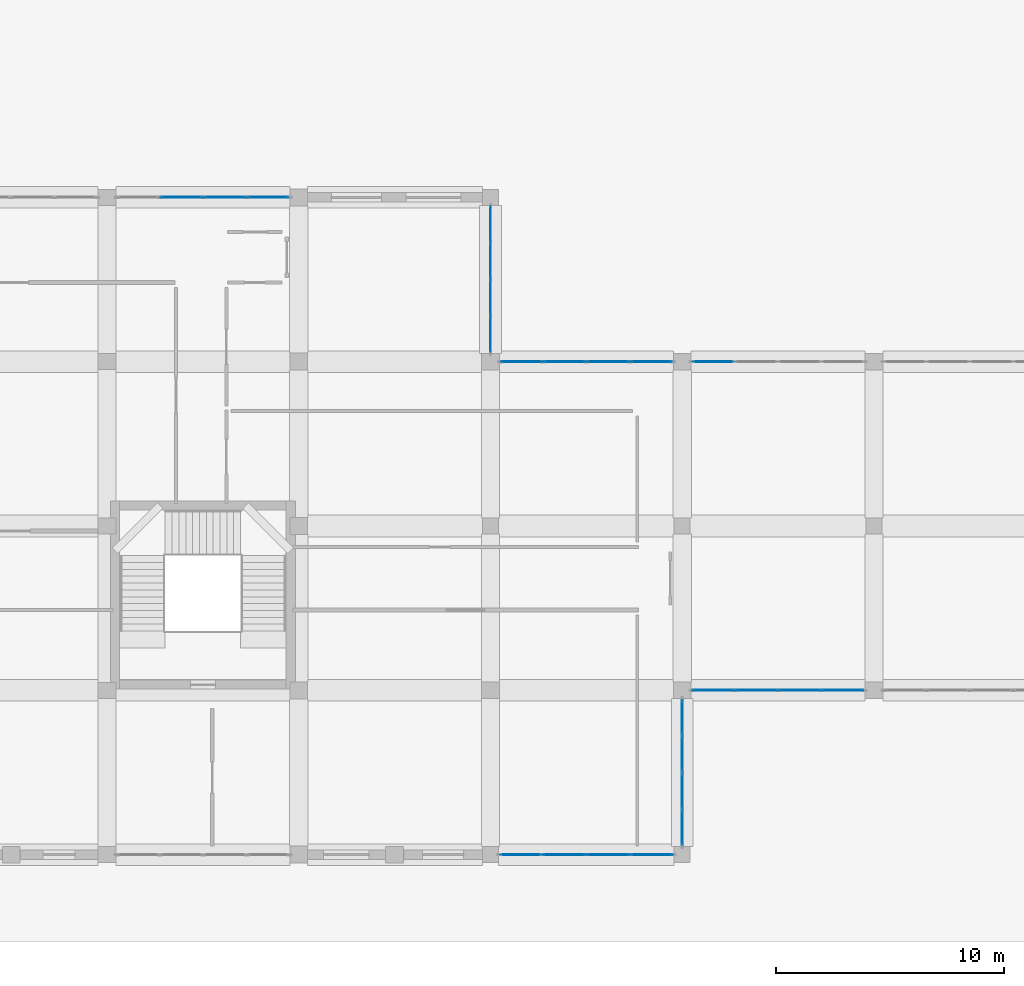
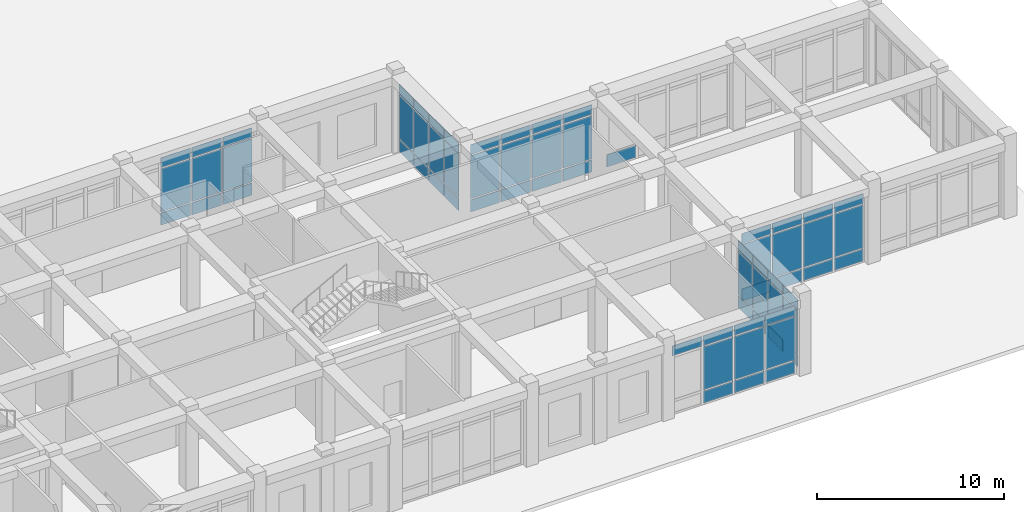
# One storey, part 57 of 84: 68 plates, 7 elements without a shape of their own.
"""IFC4 building model written with IfcOpenShell, lengths in metres."""

import ifcopenshell
import ifcopenshell.guid

model = None  # the IFC model being written
_history = None  # IfcOwnerHistory: only IFC2X3 demands one
_inside = {}  # id of a spatial element -> (the spatial element, [elements in it])
_under = {}  # id of a project, library or spatial element -> (it, [spatial elements below it])
_declared = {}  # id of a project -> (the project, [libraries it declares])
_typed = {}  # id of a type object -> (the type object, [elements of that type])
_made_of = {}  # id of a material, layer set ... -> (it, [elements and type objects made of it])


def new_model(schema):
    """Start an empty IFC model of exactly this schema.

    Asked for "IFC4X3", IfcOpenShell would pick the latest addendum, in which some entities
    have other attributes; the version numbers below select the first issue.
    IFC2X3 requires an IfcOwnerHistory on every rooted entity: one is made here for all.
    """
    global model, _history
    if schema == "IFC4X3":
        model = ifcopenshell.file(schema_version=(4, 3, 0, 0))
    else:
        model = ifcopenshell.file(schema=schema)
    _inside.clear()
    _under.clear()
    _declared.clear()
    _typed.clear()
    _made_of.clear()
    _history = None
    if model.schema == "IFC2X3":
        org = make("IfcOrganization", Name="unknown")
        user = make(
            "IfcPersonAndOrganization",
            ThePerson=make("IfcPerson", FamilyName="unknown"),
            TheOrganization=org,
        )
        app = make(
            "IfcApplication",
            ApplicationDeveloper=org,
            Version="unknown",
            ApplicationFullName="unknown",
            ApplicationIdentifier="unknown",
        )
        _history = make(
            "IfcOwnerHistory",
            OwningUser=user,
            OwningApplication=app,
            ChangeAction="ADDED",
            CreationDate=0,
        )
    return model


def make(cls, **values):
    """One entity of the class cls with the attributes given. An attribute that is None is left unset."""
    return model.create_entity(
        cls, **{name: value for name, value in values.items() if value is not None}
    )


def rooted(cls, **values):
    """An entity with a GlobalId (a new one), such as an element, a storey or a relation."""
    return make(cls, GlobalId=ifcopenshell.guid.new(), OwnerHistory=_history, **values)


def si_unit(unit_type, name, prefix=None):
    """IfcSIUnit, for example si_unit("LENGTHUNIT", "METRE", prefix="MILLI")."""
    return make("IfcSIUnit", UnitType=unit_type, Prefix=prefix, Name=name)


def derived_unit(unit_type, elements):
    """IfcDerivedUnit: a product of units, each with its exponent."""
    return make(
        "IfcDerivedUnit",
        Elements=[
            make("IfcDerivedUnitElement", Unit=unit, Exponent=power)
            for unit, power in elements
        ],
        UnitType=unit_type,
    )


def assignment(units):
    """IfcUnitAssignment: the units of a project."""
    return None if units is None else make("IfcUnitAssignment", Units=units)


def point(xyz):
    """IfcCartesianPoint."""
    return None if xyz is None else make("IfcCartesianPoint", Coordinates=xyz)


def direction(xyz):
    """IfcDirection."""
    return None if xyz is None else make("IfcDirection", DirectionRatios=xyz)


def frame(location, z_axis=None, x_axis=None):
    """IfcAxis2Placement3D, a coordinate frame: its origin and axes. An axis left out is left unset."""
    return make(
        "IfcAxis2Placement3D",
        Location=point(location),
        Axis=direction(z_axis),
        RefDirection=direction(x_axis),
    )


def frame_2d(location, x_axis=None):
    """IfcAxis2Placement2D, a coordinate frame in the plane: its origin and x axis."""
    return make(
        "IfcAxis2Placement2D", Location=point(location), RefDirection=direction(x_axis)
    )


def origin():
    """The frame at (0, 0, 0) with its axes left unset."""
    return frame((0.0, 0.0, 0.0))


def origin_2d():
    """The frame at (0, 0) in the plane with its x axis left unset."""
    return frame_2d((0.0, 0.0))


def place(relative_to, where):
    """IfcLocalPlacement: puts the frame where relative to a parent placement (None: the world)."""
    return make(
        "IfcLocalPlacement", PlacementRelTo=relative_to, RelativePlacement=where
    )


def context(
    kind, dimensions, precision=None, world=None, true_north=None, identifier=None
):
    """IfcGeometricRepresentationContext, for example the 3D "Model" context."""
    return make(
        "IfcGeometricRepresentationContext",
        ContextIdentifier=identifier,
        ContextType=kind,
        CoordinateSpaceDimension=dimensions,
        Precision=precision,
        WorldCoordinateSystem=world,
        TrueNorth=true_north,
    )


def subcontext(parent, identifier, kind, view, scale=None):
    """IfcGeometricRepresentationSubContext, for example "Body" below "Model"."""
    return make(
        "IfcGeometricRepresentationSubContext",
        ContextIdentifier=identifier,
        ContextType=kind,
        ParentContext=parent,
        TargetScale=scale,
        TargetView=view,
    )


def project(units=None, contexts=None):
    """IfcProject with its units and contexts."""
    return rooted(
        "IfcProject",
        Name="project",
        RepresentationContexts=contexts,
        UnitsInContext=assignment(units),
    )


def spatial(cls, under=None, at=None, **own):
    """A site, building, storey or space (cls), placed at a placement, below another one or the project."""
    s = rooted(cls, ObjectPlacement=at, **own)
    if under is not None:
        _under.setdefault(under.id(), (under, []))[1].append(s)
    return s


def profile(cls, at=None, kind="AREA", **sizes):
    """A parametric profile (cls). Its sizes go by their IFC names, for example OverallWidth=200.0."""
    return make(cls, ProfileType=kind, Position=at, **sizes)


def rectangle(**sizes):
    """IfcRectangleProfileDef."""
    return profile("IfcRectangleProfileDef", **sizes)


def extrude(swept, where, along, depth):
    """IfcExtrudedAreaSolid: the profile swept, set in the frame where, extruded along a direction by depth."""
    return make(
        "IfcExtrudedAreaSolid",
        SweptArea=swept,
        Position=where,
        ExtrudedDirection=direction(along),
        Depth=depth,
    )


def shape(context_of_items, identifier, shape_type, items):
    """IfcShapeRepresentation: the items that make up one representation, for example the "Body"."""
    return make(
        "IfcShapeRepresentation",
        ContextOfItems=context_of_items,
        RepresentationIdentifier=identifier,
        RepresentationType=shape_type,
        Items=items,
    )


def material(Name=None, Category=None):
    """IfcMaterial."""
    return make("IfcMaterial", Name=Name, Category=Category)


def layer(
    of_material, thickness, ventilated=None, Name=None, Category=None, Priority=None
):
    """IfcMaterialLayer: one layer of a wall or slab, of a material (None: an air gap)."""
    return make(
        "IfcMaterialLayer",
        Material=of_material,
        LayerThickness=thickness,
        IsVentilated=ventilated,
        Name=Name,
        Category=Category,
        Priority=Priority,
    )


def layer_set(layers, Name=None):
    """IfcMaterialLayerSet."""
    return make("IfcMaterialLayerSet", MaterialLayers=layers, LayerSetName=Name)


def made_of(thing, what):
    """Note that an element or type object is made of a material, layer set ...; save() writes the relation."""
    if what is not None:
        _made_of.setdefault(what.id(), (what, []))[1].append(thing)
    return thing


def type_object(cls, material=None, **own):
    """A type object (cls), such as IfcWallType, which elements share."""
    return made_of(rooted(cls, **own), material)


def element(
    cls,
    number,
    at=None,
    inside=None,
    cuts=None,
    type_object=None,
    material=None,
    context=None,
    identifier="Body",
    shape_type=None,
    held_by="IfcProductDefinitionShape",
    body=None,
    shapes=None,
    **own,
):
    """One element of the class cls, such as IfcWall. Its Tag is "e" and its number.

    at: its placement. inside: the storey or other place that contains it. cuts: it is an
    opening in that element (IfcRelVoidsElement). A single representation is given by context,
    identifier, shape_type and body (its items); several are given by shapes. held_by: the class
    of the entity that holds the representations. save() writes the other relations.
    """
    e = rooted(cls, Tag="e%d" % number, ObjectPlacement=at, **own)
    if body is not None:
        shapes = [shape(context, identifier, shape_type, body)]
    if shapes is not None:
        e.Representation = make(held_by, Representations=shapes)
    if inside is not None:
        _inside.setdefault(inside.id(), (inside, []))[1].append(e)
    if cuts is not None:
        rooted(
            "IfcRelVoidsElement", RelatingBuildingElement=cuts, RelatedOpeningElement=e
        )
    if type_object is not None:
        _typed.setdefault(type_object.id(), (type_object, []))[1].append(e)
    return made_of(e, material)


def aggregate(whole, parts):
    """IfcRelAggregates: a whole, such as a stair, and the parts it consists of."""
    return rooted("IfcRelAggregates", RelatingObject=whole, RelatedObjects=parts)


def save(model, path):
    """Write the relations noted so far, then the file.

    IfcRelAggregates (storeys below a building ...), IfcRelContainedInSpatialStructure (elements
    in a storey), IfcRelDefinesByType, IfcRelAssociatesMaterial and IfcRelDeclares: one each for
    every whole, place, type object, material and project.
    """
    for whole, parts in _under.values():
        aggregate(whole, parts)
    for where, things in _inside.values():
        rooted(
            "IfcRelContainedInSpatialStructure",
            RelatedElements=things,
            RelatingStructure=where,
        )
    for kind, things in _typed.values():
        rooted("IfcRelDefinesByType", RelatedObjects=things, RelatingType=kind)
    for what, things in _made_of.values():
        rooted("IfcRelAssociatesMaterial", RelatedObjects=things, RelatingMaterial=what)
    for by, libraries in _declared.values():
        rooted("IfcRelDeclares", RelatingContext=by, RelatedDefinitions=libraries)
    model.write(path)


model = new_model("IFC4")

# Units and contexts
model_context = context("Model", 3, precision=1e-05, world=origin(), true_north=direction((0.0, 1.0)))
body_context = subcontext(model_context, "Body", "Model", "MODEL_VIEW")
ifc_project = project(units=[si_unit("LENGTHUNIT", "METRE"), si_unit("AREAUNIT", "SQUARE_METRE"), si_unit("VOLUMEUNIT", "CUBIC_METRE"), si_unit("PLANEANGLEUNIT", "RADIAN"), si_unit("MASSUNIT", "GRAM", prefix="KILO"), derived_unit("THERMALTRANSMITTANCEUNIT", [(si_unit("POWERUNIT", "WATT"), 1), (si_unit("LENGTHUNIT", "METRE"), -2), (si_unit("THERMODYNAMICTEMPERATUREUNIT", "KELVIN"), -1)])], contexts=[model_context])

# Site, building, storey
site_placement = place(None, origin())
site = spatial("IfcSite", under=ifc_project, at=site_placement, CompositionType="ELEMENT")
building_placement = place(site_placement, origin())
building = spatial("IfcBuilding", under=site, at=building_placement, Name="Veybourne Emporium", CompositionType="ELEMENT")
storey_placement = place(building_placement, origin())
storey = spatial("IfcBuildingStorey", under=building, at=storey_placement, Name="L00", CompositionType="ELEMENT", Elevation=0.0)

# Curtain wall, plates
ifc_material_1 = material(Name="Patinated Architectural Bronze", Category="bronze")
curtain_wall_type_1 = type_object("IfcCurtainWallType", Name="CWSystem_CWS-15", PredefinedType="NOTDEFINED", material=ifc_material_1)
curtain_wall_1_placement = place(storey_placement, origin())
curtain_wall_1 = element("IfcCurtainWall", 1, at=curtain_wall_1_placement, inside=storey, type_object=curtain_wall_type_1, Name="L00 bronze glazed curtain wall CWS-15 (066)", PredefinedType="NOTDEFINED")
ifc_material_2 = material(Name="Solar Control Laminated Glass", Category="glass")
ifc_layer = layer(ifc_material_2, 0.035888671875)
ifc_layer_set = layer_set([ifc_layer], Name="Solar Control Laminated Glass")
plate_type = type_object("IfcPlateType", Name="CWPanel_CW-P2", PredefinedType="CURTAIN_PANEL", material=ifc_layer_set)
plate_1_placement = place(storey_placement, frame((129.25927734375, 28.800048828125, 0.078125), z_axis=(0.0, 0.0, 1.0), x_axis=(1.0, 0.0, 0.0)))
plate_1 = element("IfcPlate", 2, at=plate_1_placement, type_object=plate_type, Name="CWS-15 panel 2.1", PredefinedType="CURTAIN_PANEL", context=body_context, shape_type="SweptSolid", body=[
    extrude(rectangle(XDim=1.828369140625, YDim=0.035888671875, at=origin_2d()), origin(), (0.0, 0.0, 1.0), 0.782958984375),
])
plate_2_placement = place(storey_placement, frame((129.25927734375, 28.800048828125, 0.93896484375), z_axis=(0.0, 0.0, 1.0), x_axis=(1.0, 0.0, 0.0)))
plate_2 = element("IfcPlate", 3, at=plate_2_placement, type_object=plate_type, Name="CWS-15 panel 2.2", PredefinedType="CURTAIN_PANEL", context=body_context, shape_type="SweptSolid", body=[
    extrude(rectangle(XDim=1.828369140625, YDim=0.035888671875, at=origin_2d()), origin(), (0.0, 0.0, 1.0), 2.802001953125),
])
plate_3_placement = place(storey_placement, frame((129.25927734375, 28.800048828125, 3.81884765625), z_axis=(0.0, 0.0, 1.0), x_axis=(1.0, 0.0, 0.0)))
plate_3 = element("IfcPlate", 4, at=plate_3_placement, type_object=plate_type, Name="CWS-15 panel 2.3", PredefinedType="CURTAIN_PANEL", context=body_context, shape_type="SweptSolid", body=[
    extrude(rectangle(XDim=1.828369140625, YDim=0.035888671875, at=origin_2d()), origin(), (0.0, 0.0, 1.0), 0.633056640625),
])
plate_4_placement = place(storey_placement, frame((131.16552734375, 28.800048828125, 0.078125), z_axis=(0.0, 0.0, 1.0), x_axis=(1.0, 0.0, 0.0)))
plate_4 = element("IfcPlate", 5, at=plate_4_placement, type_object=plate_type, Name="CWS-15 panel 3.1", PredefinedType="CURTAIN_PANEL", context=body_context, shape_type="SweptSolid", body=[
    extrude(rectangle(XDim=1.828369140625, YDim=0.035888671875, at=origin_2d()), origin(), (0.0, 0.0, 1.0), 0.782958984375),
])
plate_5_placement = place(storey_placement, frame((131.16552734375, 28.800048828125, 0.93896484375), z_axis=(0.0, 0.0, 1.0), x_axis=(1.0, 0.0, 0.0)))
plate_5 = element("IfcPlate", 6, at=plate_5_placement, type_object=plate_type, Name="CWS-15 panel 3.2", PredefinedType="CURTAIN_PANEL", context=body_context, shape_type="SweptSolid", body=[
    extrude(rectangle(XDim=1.828369140625, YDim=0.035888671875, at=origin_2d()), origin(), (0.0, 0.0, 1.0), 2.802001953125),
])
plate_6_placement = place(storey_placement, frame((131.16552734375, 28.800048828125, 3.81884765625), z_axis=(0.0, 0.0, 1.0), x_axis=(1.0, 0.0, 0.0)))
plate_6 = element("IfcPlate", 7, at=plate_6_placement, type_object=plate_type, Name="CWS-15 panel 3.3", PredefinedType="CURTAIN_PANEL", context=body_context, shape_type="SweptSolid", body=[
    extrude(rectangle(XDim=1.828369140625, YDim=0.035888671875, at=origin_2d()), origin(), (0.0, 0.0, 1.0), 0.633056640625),
])
plate_7_placement = place(storey_placement, frame((133.052490234375, 28.800048828125, 0.078125), z_axis=(0.0, 0.0, 1.0), x_axis=(1.0, 0.0, 0.0)))
plate_7 = element("IfcPlate", 8, at=plate_7_placement, type_object=plate_type, Name="CWS-15 panel 4.1", PredefinedType="CURTAIN_PANEL", context=body_context, shape_type="SweptSolid", body=[
    extrude(rectangle(XDim=1.789306640625, YDim=0.035888671875, at=origin_2d()), origin(), (0.0, 0.0, 1.0), 0.782958984375),
])
plate_8_placement = place(storey_placement, frame((133.052490234375, 28.800048828125, 0.93896484375), z_axis=(0.0, 0.0, 1.0), x_axis=(1.0, 0.0, 0.0)))
plate_8 = element("IfcPlate", 9, at=plate_8_placement, type_object=plate_type, Name="CWS-15 panel 4.2", PredefinedType="CURTAIN_PANEL", context=body_context, shape_type="SweptSolid", body=[
    extrude(rectangle(XDim=1.789306640625, YDim=0.035888671875, at=origin_2d()), origin(), (0.0, 0.0, 1.0), 2.802001953125),
])
plate_9_placement = place(storey_placement, frame((133.052490234375, 28.800048828125, 3.81884765625), z_axis=(0.0, 0.0, 1.0), x_axis=(1.0, 0.0, 0.0)))
plate_9 = element("IfcPlate", 10, at=plate_9_placement, type_object=plate_type, Name="CWS-15 panel 4.3", PredefinedType="CURTAIN_PANEL", context=body_context, shape_type="SweptSolid", body=[
    extrude(rectangle(XDim=1.789306640625, YDim=0.035888671875, at=origin_2d()), origin(), (0.0, 0.0, 1.0), 0.633056640625),
])
aggregate(curtain_wall_1, [plate_1, plate_2, plate_3, plate_4, plate_5, plate_6, plate_7, plate_8, plate_9])

curtain_wall_type_2 = type_object("IfcCurtainWallType", Name="CWSystem_CWS-16", PredefinedType="NOTDEFINED", material=ifc_material_1)
curtain_wall_2_placement = place(storey_placement, origin())
curtain_wall_2 = element("IfcCurtainWall", 11, at=curtain_wall_2_placement, inside=storey, type_object=curtain_wall_type_2, Name="L00 bronze glazed curtain wall CWS-16 (068)", PredefinedType="NOTDEFINED")
plate_10_placement = place(storey_placement, frame((142.800048828125, 27.621337890625, 0.070068359375), z_axis=(0.0, 0.0, 1.0), x_axis=(0.0, -1.0, 0.0)))
plate_10 = element("IfcPlate", 12, at=plate_10_placement, type_object=plate_type, Name="CWS-16 panel 1.1", PredefinedType="CURTAIN_PANEL", context=body_context, shape_type="SweptSolid", body=[
    extrude(rectangle(XDim=1.517578125, YDim=0.035888671875, at=origin_2d()), origin(), (0.0, 0.0, 1.0), 0.794921875),
])
plate_11_placement = place(storey_placement, frame((142.800048828125, 27.621337890625, 0.93505859375), z_axis=(0.0, 0.0, 1.0), x_axis=(0.0, -1.0, 0.0)))
plate_11 = element("IfcPlate", 13, at=plate_11_placement, type_object=plate_type, Name="CWS-16 panel 1.2", PredefinedType="CURTAIN_PANEL", context=body_context, shape_type="SweptSolid", body=[
    extrude(rectangle(XDim=1.517578125, YDim=0.035888671875, at=origin_2d()), origin(), (0.0, 0.0, 1.0), 2.81005859375),
])
plate_12_placement = place(storey_placement, frame((142.800048828125, 27.621337890625, 3.81494140625), z_axis=(0.0, 0.0, 1.0), x_axis=(0.0, -1.0, 0.0)))
plate_12 = element("IfcPlate", 14, at=plate_12_placement, type_object=plate_type, Name="CWS-16 panel 1.3", PredefinedType="CURTAIN_PANEL", context=body_context, shape_type="SweptSolid", body=[
    extrude(rectangle(XDim=1.517578125, YDim=0.035888671875, at=origin_2d()), origin(), (0.0, 0.0, 1.0), 0.64501953125),
])
plate_13_placement = place(storey_placement, frame((142.800048828125, 26.016357421875, 0.070068359375), z_axis=(0.0, 0.0, 1.0), x_axis=(0.0, -1.0, 0.0)))
plate_13 = element("IfcPlate", 15, at=plate_13_placement, type_object=plate_type, Name="CWS-16 panel 2.1", PredefinedType="CURTAIN_PANEL", context=body_context, shape_type="SweptSolid", body=[
    extrude(rectangle(XDim=1.552490234375, YDim=0.035888671875, at=origin_2d()), origin(), (0.0, 0.0, 1.0), 0.794921875),
])
plate_14_placement = place(storey_placement, frame((142.800048828125, 26.016357421875, 0.93505859375), z_axis=(0.0, 0.0, 1.0), x_axis=(0.0, -1.0, 0.0)))
plate_14 = element("IfcPlate", 16, at=plate_14_placement, type_object=plate_type, Name="CWS-16 panel 2.2", PredefinedType="CURTAIN_PANEL", context=body_context, shape_type="SweptSolid", body=[
    extrude(rectangle(XDim=1.552490234375, YDim=0.035888671875, at=origin_2d()), origin(), (0.0, 0.0, 1.0), 2.81005859375),
])
plate_15_placement = place(storey_placement, frame((142.800048828125, 26.016357421875, 3.81494140625), z_axis=(0.0, 0.0, 1.0), x_axis=(0.0, -1.0, 0.0)))
plate_15 = element("IfcPlate", 17, at=plate_15_placement, type_object=plate_type, Name="CWS-16 panel 2.3", PredefinedType="CURTAIN_PANEL", context=body_context, shape_type="SweptSolid", body=[
    extrude(rectangle(XDim=1.552490234375, YDim=0.035888671875, at=origin_2d()), origin(), (0.0, 0.0, 1.0), 0.64501953125),
])
plate_16_placement = place(storey_placement, frame((142.800048828125, 24.393798828125, 0.070068359375), z_axis=(0.0, 0.0, 1.0), x_axis=(0.0, -1.0, 0.0)))
plate_16 = element("IfcPlate", 18, at=plate_16_placement, type_object=plate_type, Name="CWS-16 panel 3.1", PredefinedType="CURTAIN_PANEL", context=body_context, shape_type="SweptSolid", body=[
    extrude(rectangle(XDim=1.552490234375, YDim=0.035888671875, at=origin_2d()), origin(), (0.0, 0.0, 1.0), 0.794921875),
])
plate_17_placement = place(storey_placement, frame((142.800048828125, 24.393798828125, 0.93505859375), z_axis=(0.0, 0.0, 1.0), x_axis=(0.0, -1.0, 0.0)))
plate_17 = element("IfcPlate", 19, at=plate_17_placement, type_object=plate_type, Name="CWS-16 panel 3.2", PredefinedType="CURTAIN_PANEL", context=body_context, shape_type="SweptSolid", body=[
    extrude(rectangle(XDim=1.552490234375, YDim=0.035888671875, at=origin_2d()), origin(), (0.0, 0.0, 1.0), 2.81005859375),
])
plate_18_placement = place(storey_placement, frame((142.800048828125, 24.393798828125, 3.81494140625), z_axis=(0.0, 0.0, 1.0), x_axis=(0.0, -1.0, 0.0)))
plate_18 = element("IfcPlate", 20, at=plate_18_placement, type_object=plate_type, Name="CWS-16 panel 3.3", PredefinedType="CURTAIN_PANEL", context=body_context, shape_type="SweptSolid", body=[
    extrude(rectangle(XDim=1.552490234375, YDim=0.035888671875, at=origin_2d()), origin(), (0.0, 0.0, 1.0), 0.64501953125),
])
plate_19_placement = place(storey_placement, frame((142.800048828125, 22.788818359375, 0.070068359375), z_axis=(0.0, 0.0, 1.0), x_axis=(0.0, -1.0, 0.0)))
plate_19 = element("IfcPlate", 21, at=plate_19_placement, type_object=plate_type, Name="CWS-16 panel 4.1", PredefinedType="CURTAIN_PANEL", context=body_context, shape_type="SweptSolid", body=[
    extrude(rectangle(XDim=1.517578125, YDim=0.035888671875, at=origin_2d()), origin(), (0.0, 0.0, 1.0), 0.794921875),
])
plate_20_placement = place(storey_placement, frame((142.800048828125, 22.788818359375, 0.93505859375), z_axis=(0.0, 0.0, 1.0), x_axis=(0.0, -1.0, 0.0)))
plate_20 = element("IfcPlate", 22, at=plate_20_placement, type_object=plate_type, Name="CWS-16 panel 4.2", PredefinedType="CURTAIN_PANEL", context=body_context, shape_type="SweptSolid", body=[
    extrude(rectangle(XDim=1.517578125, YDim=0.035888671875, at=origin_2d()), origin(), (0.0, 0.0, 1.0), 2.81005859375),
])
plate_21_placement = place(storey_placement, frame((142.800048828125, 22.788818359375, 3.81494140625), z_axis=(0.0, 0.0, 1.0), x_axis=(0.0, -1.0, 0.0)))
plate_21 = element("IfcPlate", 23, at=plate_21_placement, type_object=plate_type, Name="CWS-16 panel 4.3", PredefinedType="CURTAIN_PANEL", context=body_context, shape_type="SweptSolid", body=[
    extrude(rectangle(XDim=1.517578125, YDim=0.035888671875, at=origin_2d()), origin(), (0.0, 0.0, 1.0), 0.64501953125),
])
aggregate(curtain_wall_2, [plate_10, plate_11, plate_12, plate_13, plate_14, plate_15, plate_16, plate_17, plate_18, plate_19, plate_20, plate_21])

curtain_wall_type_3 = type_object("IfcCurtainWallType", Name="CWSystem_CWS-17", PredefinedType="NOTDEFINED", material=ifc_material_1)
curtain_wall_3_placement = place(storey_placement, origin())
curtain_wall_3 = element("IfcCurtainWall", 24, at=curtain_wall_3_placement, inside=storey, type_object=curtain_wall_type_3, Name="L00 bronze glazed curtain wall CWS-17 (070)", PredefinedType="NOTDEFINED")
plate_22_placement = place(storey_placement, frame((149.869384765625, 0.0, 0.072021484375), z_axis=(0.0, 0.0, 1.0), x_axis=(-1.0, 0.0, 0.0)))
plate_22 = element("IfcPlate", 25, at=plate_22_placement, type_object=plate_type, Name="CWS-17 panel 1.1", PredefinedType="CURTAIN_PANEL", context=body_context, shape_type="SweptSolid", body=[
    extrude(rectangle(XDim=1.81689453125, YDim=0.035888671875, at=origin_2d()), origin(), (0.0, 0.0, 1.0), 0.7919921875),
])
plate_23_placement = place(storey_placement, frame((149.869384765625, 0.0, 0.93603515625), z_axis=(0.0, 0.0, 1.0), x_axis=(-1.0, 0.0, 0.0)))
plate_23 = element("IfcPlate", 26, at=plate_23_placement, type_object=plate_type, Name="CWS-17 panel 1.2", PredefinedType="CURTAIN_PANEL", context=body_context, shape_type="SweptSolid", body=[
    extrude(rectangle(XDim=1.81689453125, YDim=0.035888671875, at=origin_2d()), origin(), (0.0, 0.0, 1.0), 2.80810546875),
])
plate_24_placement = place(storey_placement, frame((149.869384765625, 0.0, 3.81591796875), z_axis=(0.0, 0.0, 1.0), x_axis=(-1.0, 0.0, 0.0)))
plate_24 = element("IfcPlate", 27, at=plate_24_placement, type_object=plate_type, Name="CWS-17 panel 1.3", PredefinedType="CURTAIN_PANEL", context=body_context, shape_type="SweptSolid", body=[
    extrude(rectangle(XDim=1.81689453125, YDim=0.035888671875, at=origin_2d()), origin(), (0.0, 0.0, 1.0), 0.64208984375),
])
plate_25_placement = place(storey_placement, frame((147.96240234375, 0.0, 0.072021484375), z_axis=(0.0, 0.0, 1.0), x_axis=(-1.0, 0.0, 0.0)))
plate_25 = element("IfcPlate", 28, at=plate_25_placement, type_object=plate_type, Name="CWS-17 panel 2.1", PredefinedType="CURTAIN_PANEL", context=body_context, shape_type="SweptSolid", body=[
    extrude(rectangle(XDim=1.85302734375, YDim=0.035888671875, at=origin_2d()), origin(), (0.0, 0.0, 1.0), 0.7919921875),
])
plate_26_placement = place(storey_placement, frame((147.96240234375, 0.0, 0.93603515625), z_axis=(0.0, 0.0, 1.0), x_axis=(-1.0, 0.0, 0.0)))
plate_26 = element("IfcPlate", 29, at=plate_26_placement, type_object=plate_type, Name="CWS-17 panel 2.2", PredefinedType="CURTAIN_PANEL", context=body_context, shape_type="SweptSolid", body=[
    extrude(rectangle(XDim=1.85302734375, YDim=0.035888671875, at=origin_2d()), origin(), (0.0, 0.0, 1.0), 2.80810546875),
])
plate_27_placement = place(storey_placement, frame((147.96240234375, 0.0, 3.81591796875), z_axis=(0.0, 0.0, 1.0), x_axis=(-1.0, 0.0, 0.0)))
plate_27 = element("IfcPlate", 30, at=plate_27_placement, type_object=plate_type, Name="CWS-17 panel 2.3", PredefinedType="CURTAIN_PANEL", context=body_context, shape_type="SweptSolid", body=[
    extrude(rectangle(XDim=1.85302734375, YDim=0.035888671875, at=origin_2d()), origin(), (0.0, 0.0, 1.0), 0.64208984375),
])
plate_28_placement = place(storey_placement, frame((146.03759765625, 0.0, 0.072021484375), z_axis=(0.0, 0.0, 1.0), x_axis=(-1.0, 0.0, 0.0)))
plate_28 = element("IfcPlate", 31, at=plate_28_placement, type_object=plate_type, Name="CWS-17 panel 3.1", PredefinedType="CURTAIN_PANEL", context=body_context, shape_type="SweptSolid", body=[
    extrude(rectangle(XDim=1.85302734375, YDim=0.035888671875, at=origin_2d()), origin(), (0.0, 0.0, 1.0), 0.7919921875),
])
plate_29_placement = place(storey_placement, frame((146.03759765625, 0.0, 0.93603515625), z_axis=(0.0, 0.0, 1.0), x_axis=(-1.0, 0.0, 0.0)))
plate_29 = element("IfcPlate", 32, at=plate_29_placement, type_object=plate_type, Name="CWS-17 panel 3.2", PredefinedType="CURTAIN_PANEL", context=body_context, shape_type="SweptSolid", body=[
    extrude(rectangle(XDim=1.85302734375, YDim=0.035888671875, at=origin_2d()), origin(), (0.0, 0.0, 1.0), 2.80810546875),
])
plate_30_placement = place(storey_placement, frame((146.03759765625, 0.0, 3.81591796875), z_axis=(0.0, 0.0, 1.0), x_axis=(-1.0, 0.0, 0.0)))
plate_30 = element("IfcPlate", 33, at=plate_30_placement, type_object=plate_type, Name="CWS-17 panel 3.3", PredefinedType="CURTAIN_PANEL", context=body_context, shape_type="SweptSolid", body=[
    extrude(rectangle(XDim=1.85302734375, YDim=0.035888671875, at=origin_2d()), origin(), (0.0, 0.0, 1.0), 0.64208984375),
])
plate_31_placement = place(storey_placement, frame((144.130615234375, 0.0, 3.81591796875), z_axis=(0.0, 0.0, 1.0), x_axis=(-1.0, 0.0, 0.0)))
plate_31 = element("IfcPlate", 34, at=plate_31_placement, type_object=plate_type, Name="CWS-17 panel 4.3", PredefinedType="CURTAIN_PANEL", context=body_context, shape_type="SweptSolid", body=[
    extrude(rectangle(XDim=1.81689453125, YDim=0.035888671875, at=origin_2d()), origin(), (0.0, 0.0, 1.0), 0.64208984375),
])
aggregate(curtain_wall_3, [plate_22, plate_23, plate_24, plate_25, plate_26, plate_27, plate_28, plate_29, plate_30, plate_31])

curtain_wall_type_4 = type_object("IfcCurtainWallType", Name="CWSystem_CWS-18", PredefinedType="NOTDEFINED", material=ifc_material_1)
curtain_wall_4_placement = place(storey_placement, origin())
curtain_wall_4 = element("IfcCurtainWall", 35, at=curtain_wall_4_placement, inside=storey, type_object=curtain_wall_type_4, Name="L00 bronze glazed curtain wall CWS-18 (071)", PredefinedType="NOTDEFINED")
plate_32_placement = place(storey_placement, frame((151.199951171875, 6.010009765625, 0.074951171875), z_axis=(0.0, 0.0, 1.0), x_axis=(0.0, -1.0, 0.0)))
plate_32 = element("IfcPlate", 36, at=plate_32_placement, type_object=plate_type, Name="CWS-18 panel 1.1", PredefinedType="CURTAIN_PANEL", context=body_context, shape_type="SweptSolid", body=[
    extrude(rectangle(XDim=1.510009765625, YDim=0.035888671875, at=origin_2d()), origin(), (0.0, 0.0, 1.0), 0.78759765625),
])
plate_33_placement = place(storey_placement, frame((151.199951171875, 6.010009765625, 0.9375), z_axis=(0.0, 0.0, 1.0), x_axis=(0.0, -1.0, 0.0)))
plate_33 = element("IfcPlate", 37, at=plate_33_placement, type_object=plate_type, Name="CWS-18 panel 1.2", PredefinedType="CURTAIN_PANEL", context=body_context, shape_type="SweptSolid", body=[
    extrude(rectangle(XDim=1.510009765625, YDim=0.035888671875, at=origin_2d()), origin(), (0.0, 0.0, 1.0), 2.804931640625),
])
plate_34_placement = place(storey_placement, frame((151.199951171875, 6.010009765625, 3.8173828125), z_axis=(0.0, 0.0, 1.0), x_axis=(0.0, -1.0, 0.0)))
plate_34 = element("IfcPlate", 38, at=plate_34_placement, type_object=plate_type, Name="CWS-18 panel 1.3", PredefinedType="CURTAIN_PANEL", context=body_context, shape_type="SweptSolid", body=[
    extrude(rectangle(XDim=1.510009765625, YDim=0.035888671875, at=origin_2d()), origin(), (0.0, 0.0, 1.0), 0.637451171875),
])
plate_35_placement = place(storey_placement, frame((151.199951171875, 4.40625, 0.074951171875), z_axis=(0.0, 0.0, 1.0), x_axis=(0.0, -1.0, 0.0)))
plate_35 = element("IfcPlate", 39, at=plate_35_placement, type_object=plate_type, Name="CWS-18 panel 2.1", PredefinedType="CURTAIN_PANEL", context=body_context, shape_type="SweptSolid", body=[
    extrude(rectangle(XDim=1.547607421875, YDim=0.035888671875, at=origin_2d()), origin(), (0.0, 0.0, 1.0), 0.78759765625),
])
plate_36_placement = place(storey_placement, frame((151.199951171875, 4.40625, 0.9375), z_axis=(0.0, 0.0, 1.0), x_axis=(0.0, -1.0, 0.0)))
plate_36 = element("IfcPlate", 40, at=plate_36_placement, type_object=plate_type, Name="CWS-18 panel 2.2", PredefinedType="CURTAIN_PANEL", context=body_context, shape_type="SweptSolid", body=[
    extrude(rectangle(XDim=1.547607421875, YDim=0.035888671875, at=origin_2d()), origin(), (0.0, 0.0, 1.0), 2.804931640625),
])
plate_37_placement = place(storey_placement, frame((151.199951171875, 4.40625, 3.8173828125), z_axis=(0.0, 0.0, 1.0), x_axis=(0.0, -1.0, 0.0)))
plate_37 = element("IfcPlate", 41, at=plate_37_placement, type_object=plate_type, Name="CWS-18 panel 2.3", PredefinedType="CURTAIN_PANEL", context=body_context, shape_type="SweptSolid", body=[
    extrude(rectangle(XDim=1.547607421875, YDim=0.035888671875, at=origin_2d()), origin(), (0.0, 0.0, 1.0), 0.637451171875),
])
plate_38_placement = place(storey_placement, frame((151.199951171875, 2.78369140625, 0.074951171875), z_axis=(0.0, 0.0, 1.0), x_axis=(0.0, -1.0, 0.0)))
plate_38 = element("IfcPlate", 42, at=plate_38_placement, type_object=plate_type, Name="CWS-18 panel 3.1", PredefinedType="CURTAIN_PANEL", context=body_context, shape_type="SweptSolid", body=[
    extrude(rectangle(XDim=1.547607421875, YDim=0.035888671875, at=origin_2d()), origin(), (0.0, 0.0, 1.0), 0.78759765625),
])
plate_39_placement = place(storey_placement, frame((151.199951171875, 2.78369140625, 0.9375), z_axis=(0.0, 0.0, 1.0), x_axis=(0.0, -1.0, 0.0)))
plate_39 = element("IfcPlate", 43, at=plate_39_placement, type_object=plate_type, Name="CWS-18 panel 3.2", PredefinedType="CURTAIN_PANEL", context=body_context, shape_type="SweptSolid", body=[
    extrude(rectangle(XDim=1.547607421875, YDim=0.035888671875, at=origin_2d()), origin(), (0.0, 0.0, 1.0), 2.804931640625),
])
plate_40_placement = place(storey_placement, frame((151.199951171875, 2.78369140625, 3.8173828125), z_axis=(0.0, 0.0, 1.0), x_axis=(0.0, -1.0, 0.0)))
plate_40 = element("IfcPlate", 44, at=plate_40_placement, type_object=plate_type, Name="CWS-18 panel 3.3", PredefinedType="CURTAIN_PANEL", context=body_context, shape_type="SweptSolid", body=[
    extrude(rectangle(XDim=1.547607421875, YDim=0.035888671875, at=origin_2d()), origin(), (0.0, 0.0, 1.0), 0.637451171875),
])
plate_41_placement = place(storey_placement, frame((151.199951171875, 1.179931640625, 0.074951171875), z_axis=(0.0, 0.0, 1.0), x_axis=(0.0, -1.0, 0.0)))
plate_41 = element("IfcPlate", 45, at=plate_41_placement, type_object=plate_type, Name="CWS-18 panel 4.1", PredefinedType="CURTAIN_PANEL", context=body_context, shape_type="SweptSolid", body=[
    extrude(rectangle(XDim=1.510009765625, YDim=0.035888671875, at=origin_2d()), origin(), (0.0, 0.0, 1.0), 0.78759765625),
])
plate_42_placement = place(storey_placement, frame((151.199951171875, 1.179931640625, 0.9375), z_axis=(0.0, 0.0, 1.0), x_axis=(0.0, -1.0, 0.0)))
plate_42 = element("IfcPlate", 46, at=plate_42_placement, type_object=plate_type, Name="CWS-18 panel 4.2", PredefinedType="CURTAIN_PANEL", context=body_context, shape_type="SweptSolid", body=[
    extrude(rectangle(XDim=1.510009765625, YDim=0.035888671875, at=origin_2d()), origin(), (0.0, 0.0, 1.0), 2.804931640625),
])
plate_43_placement = place(storey_placement, frame((151.199951171875, 1.179931640625, 3.8173828125), z_axis=(0.0, 0.0, 1.0), x_axis=(0.0, -1.0, 0.0)))
plate_43 = element("IfcPlate", 47, at=plate_43_placement, type_object=plate_type, Name="CWS-18 panel 4.3", PredefinedType="CURTAIN_PANEL", context=body_context, shape_type="SweptSolid", body=[
    extrude(rectangle(XDim=1.510009765625, YDim=0.035888671875, at=origin_2d()), origin(), (0.0, 0.0, 1.0), 0.637451171875),
])
aggregate(curtain_wall_4, [plate_32, plate_33, plate_34, plate_35, plate_36, plate_37, plate_38, plate_39, plate_40, plate_41, plate_42, plate_43])

curtain_wall_type_5 = type_object("IfcCurtainWallType", Name="CWSystem_CWS-19", PredefinedType="NOTDEFINED", material=ifc_material_1)
curtain_wall_5_placement = place(storey_placement, origin())
curtain_wall_5 = element("IfcCurtainWall", 48, at=curtain_wall_5_placement, inside=storey, type_object=curtain_wall_type_5, Name="L00 bronze glazed curtain wall CWS-19 (072)", PredefinedType="NOTDEFINED")
plate_44_placement = place(storey_placement, frame((144.162109375, 21.60009765625, 0.078125), z_axis=(0.0, 0.0, 1.0), x_axis=(1.0, 0.0, 0.0)))
plate_44 = element("IfcPlate", 49, at=plate_44_placement, type_object=plate_type, Name="CWS-19 panel 1.1", PredefinedType="CURTAIN_PANEL", context=body_context, shape_type="SweptSolid", body=[
    extrude(rectangle(XDim=1.7880859375, YDim=0.035888671875, at=origin_2d()), origin(), (0.0, 0.0, 1.0), 0.782958984375),
])
plate_45_placement = place(storey_placement, frame((144.162109375, 21.60009765625, 0.93896484375), z_axis=(0.0, 0.0, 1.0), x_axis=(1.0, 0.0, 0.0)))
plate_45 = element("IfcPlate", 50, at=plate_45_placement, type_object=plate_type, Name="CWS-19 panel 1.2", PredefinedType="CURTAIN_PANEL", context=body_context, shape_type="SweptSolid", body=[
    extrude(rectangle(XDim=1.7880859375, YDim=0.035888671875, at=origin_2d()), origin(), (0.0, 0.0, 1.0), 2.802001953125),
])
plate_46_placement = place(storey_placement, frame((144.162109375, 21.60009765625, 3.81884765625), z_axis=(0.0, 0.0, 1.0), x_axis=(1.0, 0.0, 0.0)))
plate_46 = element("IfcPlate", 51, at=plate_46_placement, type_object=plate_type, Name="CWS-19 panel 1.3", PredefinedType="CURTAIN_PANEL", context=body_context, shape_type="SweptSolid", body=[
    extrude(rectangle(XDim=1.7880859375, YDim=0.035888671875, at=origin_2d()), origin(), (0.0, 0.0, 1.0), 0.633056640625),
])
plate_47_placement = place(storey_placement, frame((146.047607421875, 21.60009765625, 0.078125), z_axis=(0.0, 0.0, 1.0), x_axis=(1.0, 0.0, 0.0)))
plate_47 = element("IfcPlate", 52, at=plate_47_placement, type_object=plate_type, Name="CWS-19 panel 2.1", PredefinedType="CURTAIN_PANEL", context=body_context, shape_type="SweptSolid", body=[
    extrude(rectangle(XDim=1.826904296875, YDim=0.035888671875, at=origin_2d()), origin(), (0.0, 0.0, 1.0), 0.782958984375),
])
plate_48_placement = place(storey_placement, frame((146.047607421875, 21.60009765625, 0.93896484375), z_axis=(0.0, 0.0, 1.0), x_axis=(1.0, 0.0, 0.0)))
plate_48 = element("IfcPlate", 53, at=plate_48_placement, type_object=plate_type, Name="CWS-19 panel 2.2", PredefinedType="CURTAIN_PANEL", context=body_context, shape_type="SweptSolid", body=[
    extrude(rectangle(XDim=1.826904296875, YDim=0.035888671875, at=origin_2d()), origin(), (0.0, 0.0, 1.0), 2.802001953125),
])
plate_49_placement = place(storey_placement, frame((146.047607421875, 21.60009765625, 3.81884765625), z_axis=(0.0, 0.0, 1.0), x_axis=(1.0, 0.0, 0.0)))
plate_49 = element("IfcPlate", 54, at=plate_49_placement, type_object=plate_type, Name="CWS-19 panel 2.3", PredefinedType="CURTAIN_PANEL", context=body_context, shape_type="SweptSolid", body=[
    extrude(rectangle(XDim=1.826904296875, YDim=0.035888671875, at=origin_2d()), origin(), (0.0, 0.0, 1.0), 0.633056640625),
])
plate_50_placement = place(storey_placement, frame((147.952392578125, 21.60009765625, 0.078125), z_axis=(0.0, 0.0, 1.0), x_axis=(1.0, 0.0, 0.0)))
plate_50 = element("IfcPlate", 55, at=plate_50_placement, type_object=plate_type, Name="CWS-19 panel 3.1", PredefinedType="CURTAIN_PANEL", context=body_context, shape_type="SweptSolid", body=[
    extrude(rectangle(XDim=1.826904296875, YDim=0.035888671875, at=origin_2d()), origin(), (0.0, 0.0, 1.0), 0.782958984375),
])
plate_51_placement = place(storey_placement, frame((147.952392578125, 21.60009765625, 0.93896484375), z_axis=(0.0, 0.0, 1.0), x_axis=(1.0, 0.0, 0.0)))
plate_51 = element("IfcPlate", 56, at=plate_51_placement, type_object=plate_type, Name="CWS-19 panel 3.2", PredefinedType="CURTAIN_PANEL", context=body_context, shape_type="SweptSolid", body=[
    extrude(rectangle(XDim=1.826904296875, YDim=0.035888671875, at=origin_2d()), origin(), (0.0, 0.0, 1.0), 2.802001953125),
])
plate_52_placement = place(storey_placement, frame((147.952392578125, 21.60009765625, 3.81884765625), z_axis=(0.0, 0.0, 1.0), x_axis=(1.0, 0.0, 0.0)))
plate_52 = element("IfcPlate", 57, at=plate_52_placement, type_object=plate_type, Name="CWS-19 panel 3.3", PredefinedType="CURTAIN_PANEL", context=body_context, shape_type="SweptSolid", body=[
    extrude(rectangle(XDim=1.826904296875, YDim=0.035888671875, at=origin_2d()), origin(), (0.0, 0.0, 1.0), 0.633056640625),
])
plate_53_placement = place(storey_placement, frame((149.837890625, 21.60009765625, 0.078125), z_axis=(0.0, 0.0, 1.0), x_axis=(1.0, 0.0, 0.0)))
plate_53 = element("IfcPlate", 58, at=plate_53_placement, type_object=plate_type, Name="CWS-19 panel 4.1", PredefinedType="CURTAIN_PANEL", context=body_context, shape_type="SweptSolid", body=[
    extrude(rectangle(XDim=1.7880859375, YDim=0.035888671875, at=origin_2d()), origin(), (0.0, 0.0, 1.0), 0.782958984375),
])
plate_54_placement = place(storey_placement, frame((149.837890625, 21.60009765625, 0.93896484375), z_axis=(0.0, 0.0, 1.0), x_axis=(1.0, 0.0, 0.0)))
plate_54 = element("IfcPlate", 59, at=plate_54_placement, type_object=plate_type, Name="CWS-19 panel 4.2", PredefinedType="CURTAIN_PANEL", context=body_context, shape_type="SweptSolid", body=[
    extrude(rectangle(XDim=1.7880859375, YDim=0.035888671875, at=origin_2d()), origin(), (0.0, 0.0, 1.0), 2.802001953125),
])
plate_55_placement = place(storey_placement, frame((149.837890625, 21.60009765625, 3.81884765625), z_axis=(0.0, 0.0, 1.0), x_axis=(1.0, 0.0, 0.0)))
plate_55 = element("IfcPlate", 60, at=plate_55_placement, type_object=plate_type, Name="CWS-19 panel 4.3", PredefinedType="CURTAIN_PANEL", context=body_context, shape_type="SweptSolid", body=[
    extrude(rectangle(XDim=1.7880859375, YDim=0.035888671875, at=origin_2d()), origin(), (0.0, 0.0, 1.0), 0.633056640625),
])
aggregate(curtain_wall_5, [plate_44, plate_45, plate_46, plate_47, plate_48, plate_49, plate_50, plate_51, plate_52, plate_53, plate_54, plate_55])

curtain_wall_type_6 = type_object("IfcCurtainWallType", Name="CWSystem_CWS-20", PredefinedType="NOTDEFINED", material=ifc_material_1)
curtain_wall_6_placement = place(storey_placement, origin())
curtain_wall_6 = element("IfcCurtainWall", 61, at=curtain_wall_6_placement, inside=storey, type_object=curtain_wall_type_6, Name="L00 bronze glazed curtain wall CWS-20 (073)", PredefinedType="NOTDEFINED")
plate_56_placement = place(storey_placement, frame((158.239990234375, 7.199951171875, 0.070068359375), z_axis=(0.0, 0.0, 1.0), x_axis=(-1.0, 0.0, 0.0)))
plate_56 = element("IfcPlate", 62, at=plate_56_placement, type_object=plate_type, Name="CWS-20 panel 1.1", PredefinedType="CURTAIN_PANEL", context=body_context, shape_type="SweptSolid", body=[
    extrude(rectangle(XDim=1.800048828125, YDim=0.035888671875, at=origin_2d()), origin(), (0.0, 0.0, 1.0), 0.794921875),
])
plate_57_placement = place(storey_placement, frame((158.239990234375, 7.199951171875, 0.93505859375), z_axis=(0.0, 0.0, 1.0), x_axis=(-1.0, 0.0, 0.0)))
plate_57 = element("IfcPlate", 63, at=plate_57_placement, type_object=plate_type, Name="CWS-20 panel 1.2", PredefinedType="CURTAIN_PANEL", context=body_context, shape_type="SweptSolid", body=[
    extrude(rectangle(XDim=1.800048828125, YDim=0.035888671875, at=origin_2d()), origin(), (0.0, 0.0, 1.0), 2.81005859375),
])
plate_58_placement = place(storey_placement, frame((158.239990234375, 7.199951171875, 3.81494140625), z_axis=(0.0, 0.0, 1.0), x_axis=(-1.0, 0.0, 0.0)))
plate_58 = element("IfcPlate", 64, at=plate_58_placement, type_object=plate_type, Name="CWS-20 panel 1.3", PredefinedType="CURTAIN_PANEL", context=body_context, shape_type="SweptSolid", body=[
    extrude(rectangle(XDim=1.800048828125, YDim=0.035888671875, at=origin_2d()), origin(), (0.0, 0.0, 1.0), 0.64501953125),
])
plate_59_placement = place(storey_placement, frame((156.3525390625, 7.199951171875, 0.070068359375), z_axis=(0.0, 0.0, 1.0), x_axis=(-1.0, 0.0, 0.0)))
plate_59 = element("IfcPlate", 65, at=plate_59_placement, type_object=plate_type, Name="CWS-20 panel 2.1", PredefinedType="CURTAIN_PANEL", context=body_context, shape_type="SweptSolid", body=[
    extrude(rectangle(XDim=1.8349609375, YDim=0.035888671875, at=origin_2d()), origin(), (0.0, 0.0, 1.0), 0.794921875),
])
plate_60_placement = place(storey_placement, frame((156.3525390625, 7.199951171875, 0.93505859375), z_axis=(0.0, 0.0, 1.0), x_axis=(-1.0, 0.0, 0.0)))
plate_60 = element("IfcPlate", 66, at=plate_60_placement, type_object=plate_type, Name="CWS-20 panel 2.2", PredefinedType="CURTAIN_PANEL", context=body_context, shape_type="SweptSolid", body=[
    extrude(rectangle(XDim=1.8349609375, YDim=0.035888671875, at=origin_2d()), origin(), (0.0, 0.0, 1.0), 2.81005859375),
])
plate_61_placement = place(storey_placement, frame((156.3525390625, 7.199951171875, 3.81494140625), z_axis=(0.0, 0.0, 1.0), x_axis=(-1.0, 0.0, 0.0)))
plate_61 = element("IfcPlate", 67, at=plate_61_placement, type_object=plate_type, Name="CWS-20 panel 2.3", PredefinedType="CURTAIN_PANEL", context=body_context, shape_type="SweptSolid", body=[
    extrude(rectangle(XDim=1.8349609375, YDim=0.035888671875, at=origin_2d()), origin(), (0.0, 0.0, 1.0), 0.64501953125),
])
plate_62_placement = place(storey_placement, frame((154.447509765625, 7.199951171875, 0.070068359375), z_axis=(0.0, 0.0, 1.0), x_axis=(-1.0, 0.0, 0.0)))
plate_62 = element("IfcPlate", 68, at=plate_62_placement, type_object=plate_type, Name="CWS-20 panel 3.1", PredefinedType="CURTAIN_PANEL", context=body_context, shape_type="SweptSolid", body=[
    extrude(rectangle(XDim=1.8349609375, YDim=0.035888671875, at=origin_2d()), origin(), (0.0, 0.0, 1.0), 0.794921875),
])
plate_63_placement = place(storey_placement, frame((154.447509765625, 7.199951171875, 0.93505859375), z_axis=(0.0, 0.0, 1.0), x_axis=(-1.0, 0.0, 0.0)))
plate_63 = element("IfcPlate", 69, at=plate_63_placement, type_object=plate_type, Name="CWS-20 panel 3.2", PredefinedType="CURTAIN_PANEL", context=body_context, shape_type="SweptSolid", body=[
    extrude(rectangle(XDim=1.8349609375, YDim=0.035888671875, at=origin_2d()), origin(), (0.0, 0.0, 1.0), 2.81005859375),
])
plate_64_placement = place(storey_placement, frame((154.447509765625, 7.199951171875, 3.81494140625), z_axis=(0.0, 0.0, 1.0), x_axis=(-1.0, 0.0, 0.0)))
plate_64 = element("IfcPlate", 70, at=plate_64_placement, type_object=plate_type, Name="CWS-20 panel 3.3", PredefinedType="CURTAIN_PANEL", context=body_context, shape_type="SweptSolid", body=[
    extrude(rectangle(XDim=1.8349609375, YDim=0.035888671875, at=origin_2d()), origin(), (0.0, 0.0, 1.0), 0.64501953125),
])
plate_65_placement = place(storey_placement, frame((152.56005859375, 7.199951171875, 0.070068359375), z_axis=(0.0, 0.0, 1.0), x_axis=(-1.0, 0.0, 0.0)))
plate_65 = element("IfcPlate", 71, at=plate_65_placement, type_object=plate_type, Name="CWS-20 panel 4.1", PredefinedType="CURTAIN_PANEL", context=body_context, shape_type="SweptSolid", body=[
    extrude(rectangle(XDim=1.800048828125, YDim=0.035888671875, at=origin_2d()), origin(), (0.0, 0.0, 1.0), 0.794921875),
])
plate_66_placement = place(storey_placement, frame((152.56005859375, 7.199951171875, 0.93505859375), z_axis=(0.0, 0.0, 1.0), x_axis=(-1.0, 0.0, 0.0)))
plate_66 = element("IfcPlate", 72, at=plate_66_placement, type_object=plate_type, Name="CWS-20 panel 4.2", PredefinedType="CURTAIN_PANEL", context=body_context, shape_type="SweptSolid", body=[
    extrude(rectangle(XDim=1.800048828125, YDim=0.035888671875, at=origin_2d()), origin(), (0.0, 0.0, 1.0), 2.81005859375),
])
plate_67_placement = place(storey_placement, frame((152.56005859375, 7.199951171875, 3.81494140625), z_axis=(0.0, 0.0, 1.0), x_axis=(-1.0, 0.0, 0.0)))
plate_67 = element("IfcPlate", 73, at=plate_67_placement, type_object=plate_type, Name="CWS-20 panel 4.3", PredefinedType="CURTAIN_PANEL", context=body_context, shape_type="SweptSolid", body=[
    extrude(rectangle(XDim=1.800048828125, YDim=0.035888671875, at=origin_2d()), origin(), (0.0, 0.0, 1.0), 0.64501953125),
])
aggregate(curtain_wall_6, [plate_56, plate_57, plate_58, plate_59, plate_60, plate_61, plate_62, plate_63, plate_64, plate_65, plate_66, plate_67])

# Curtain wall, plate
curtain_wall_type_7 = type_object("IfcCurtainWallType", Name="CWSystem_CWS-21", PredefinedType="NOTDEFINED", material=ifc_material_1)
curtain_wall_7_placement = place(storey_placement, origin())
curtain_wall_7 = element("IfcCurtainWall", 74, at=curtain_wall_7_placement, inside=storey, type_object=curtain_wall_type_7, Name="L00 bronze glazed curtain wall CWS-21 (074)", PredefinedType="NOTDEFINED")
plate_68_placement = place(storey_placement, frame((152.560546875, 21.60009765625, 0.072021484375), z_axis=(0.0, 0.0, 1.0), x_axis=(1.0, 0.0, 0.0)))
plate_68 = element("IfcPlate", 75, at=plate_68_placement, type_object=plate_type, Name="CWS-21 panel 1.1", PredefinedType="CURTAIN_PANEL", context=body_context, shape_type="SweptSolid", body=[
    extrude(rectangle(XDim=1.797119140625, YDim=0.035888671875, at=origin_2d()), origin(), (0.0, 0.0, 1.0), 0.7919921875),
])
aggregate(curtain_wall_7, [plate_68])

save(model, "model.ifc")
